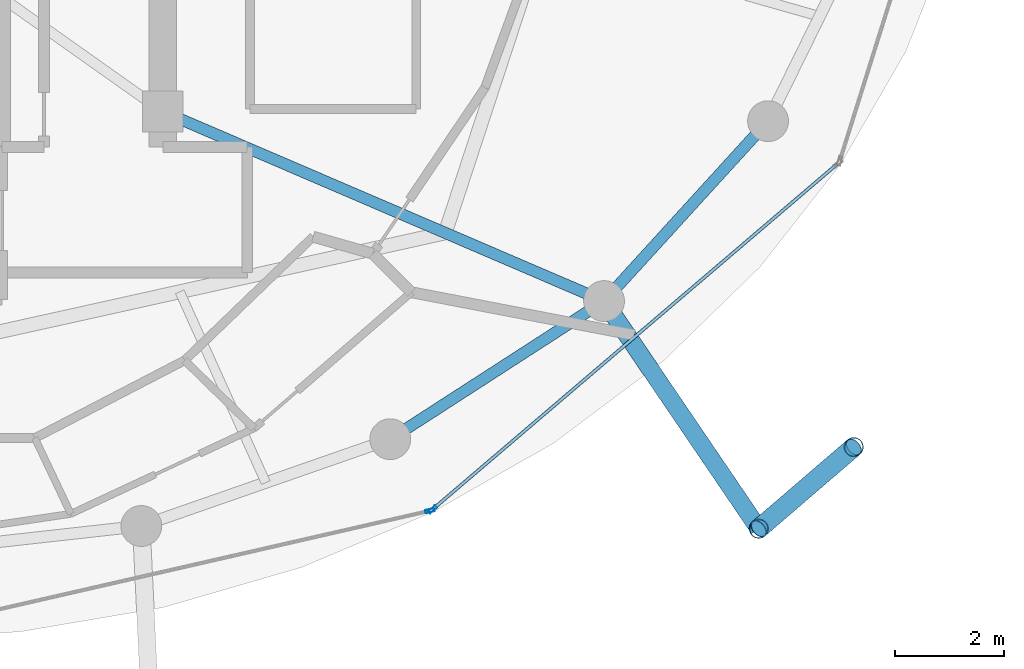
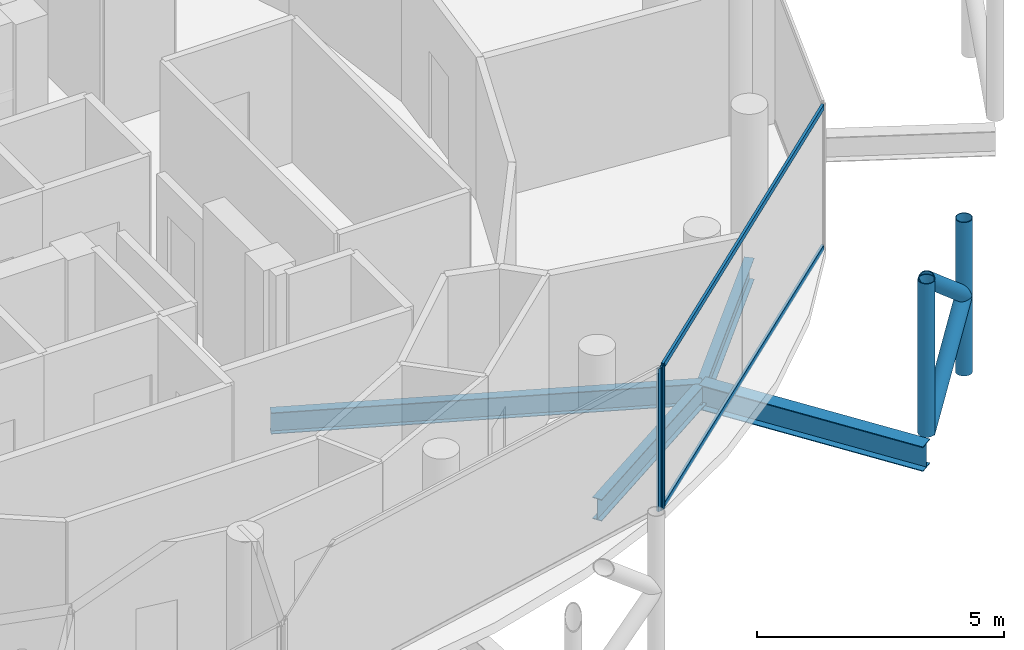
# One storey, part 9 of 24: 8 members, 4 beams, 2 elements without a shape of their own.
"""IFC4 building model written with IfcOpenShell, lengths in metres."""

from ifc_helpers import new_model, si_unit, direction, frame, origin, origin_2d, place, context, subcontext, project, spatial, hollow_rectangle, hollow_circle, i_section, extrude, material, layer, layer_set, material_profile, profile_set, type_object, element, aggregate, save


model = new_model("IFC4")

# Units and contexts
model_context = context("Model", 3, precision=1e-05, world=origin(), true_north=direction((0.0, 1.0)))
body_context = subcontext(model_context, "Body", "Model", "MODEL_VIEW")
ifc_project = project(units=[si_unit("LENGTHUNIT", "METRE"), si_unit("AREAUNIT", "SQUARE_METRE"), si_unit("VOLUMEUNIT", "CUBIC_METRE"), si_unit("PLANEANGLEUNIT", "RADIAN"), si_unit("MASSUNIT", "GRAM", prefix="KILO")], contexts=[model_context])

# Site, building, storey
site_placement = place(None, origin())
site = spatial("IfcSite", under=ifc_project, at=site_placement, CompositionType="ELEMENT")
building_placement = place(site_placement, origin())
building = spatial("IfcBuilding", under=site, at=building_placement, Name="Nuhasar Tower", CompositionType="ELEMENT")
storey_placement = place(building_placement, frame((0.0, 0.0, 282.199951171875)))
storey = spatial("IfcBuildingStorey", under=building, at=storey_placement, Name="L70", CompositionType="ELEMENT", Elevation=282.199951171875)

# Beams
ifc_material_1 = material(Name="Steel S355", Category="steel")
ifc_material_profile_1 = material_profile(ifc_material_1, i_section(OverallWidth=0.208984375, OverallDepth=0.528076171875, WebThickness=0.009521484375, FlangeThickness=0.01318359375, at=origin_2d()), Name="W21X55")
ifc_profile_set_1 = profile_set([ifc_material_profile_1], Name="Steel S355")
beam_type_1 = type_object("IfcBeamType", Name="BM-RAD-W21X55", PredefinedType="BEAM", material=ifc_profile_set_1)
beam_1_placement = place(storey_placement, frame((44.300048828125, 19.0, -0.52392578125), z_axis=(0.91887119061, -0.394557644797, 0.0), x_axis=(0.394557644797, 0.91887119061, 0.0)))
element("IfcBeam", 1, at=beam_1_placement, inside=storey, type_object=beam_type_1, Name="L70 Radial Floor Girder 03", PredefinedType="BEAM", context=body_context, shape_type="SweptSolid", body=[
    extrude(i_section(OverallWidth=0.208984375, OverallDepth=0.528076171875, WebThickness=0.009521484375, FlangeThickness=0.01318359375, at=origin_2d()), origin(), (0.0, 0.0, 1.0), 8.81494140625),
])
ifc_material_profile_2 = material_profile(ifc_material_1, i_section(OverallWidth=0.2099609375, OverallDepth=0.537109375, WebThickness=0.010986328125, FlangeThickness=0.017333984375, at=origin_2d()), Name="W21X68")
ifc_profile_set_2 = profile_set([ifc_material_profile_2], Name="Steel S355")
beam_type_2 = type_object("IfcBeamType", Name="BM-RING-W21X68", PredefinedType="SPANDREL", material=ifc_profile_set_2)
beam_2_placement = place(storey_placement, frame((48.47509765625, 12.987060546875, -0.529052734375), z_axis=(0.840025485934, 0.542546940809, 0.0), x_axis=(-0.542546940809, 0.840025485934, 0.0)))
element("IfcBeam", 2, at=beam_2_placement, inside=storey, type_object=beam_type_2, Name="L70 Perimeter Ring Spandrel 21", PredefinedType="SPANDREL", context=body_context, shape_type="SweptSolid", body=[
    extrude(i_section(OverallWidth=0.2099609375, OverallDepth=0.537109375, WebThickness=0.010986328125, FlangeThickness=0.017333984375, at=origin_2d()), origin(), (0.0, 0.0, 1.0), 4.67236328125),
])
beam_3_placement = place(storey_placement, frame((52.39990234375, 15.52197265625, -0.529052734375), z_axis=(0.673686302939, 0.739017432293, 0.0), x_axis=(-0.739017432293, 0.673686302939, 0.0)))
element("IfcBeam", 3, at=beam_3_placement, inside=storey, type_object=beam_type_2, Name="L70 Perimeter Ring Spandrel 22", PredefinedType="SPANDREL", context=body_context, shape_type="SweptSolid", body=[
    extrude(i_section(OverallWidth=0.2099609375, OverallDepth=0.537109375, WebThickness=0.010986328125, FlangeThickness=0.017333984375, at=origin_2d()), origin(), (0.0, 0.0, 1.0), 4.469482421875),
])
ifc_material_profile_3 = material_profile(ifc_material_1, i_section(OverallWidth=0.323974609375, OverallDepth=0.611083984375, WebThickness=0.0126953125, FlangeThickness=0.01904296875, at=origin_2d()), Name="W24X104")
ifc_profile_set_3 = profile_set([ifc_material_profile_3], Name="Steel S355")
beam_type_3 = type_object("IfcBeamType", Name="BM-TIE-W24X104", PredefinedType="BEAM", material=ifc_profile_set_3)
beam_4_placement = place(storey_placement, frame((52.39990234375, 15.52197265625, -0.56494140625), z_axis=(0.562093254487, -0.827073862034, 0.0), x_axis=(0.827073862034, 0.562093254487, 0.0)))
element("IfcBeam", 4, at=beam_4_placement, inside=storey, type_object=beam_type_3, Name="L70 Exoskeleton Node Tie Beam 11", PredefinedType="BEAM", context=body_context, shape_type="SweptSolid", body=[
    extrude(i_section(OverallWidth=0.323974609375, OverallDepth=0.611083984375, WebThickness=0.0126953125, FlangeThickness=0.01904296875, at=origin_2d()), origin(), (0.0, 0.0, 1.0), 5.052734375),
])

# Curtain wall, member
ifc_material_2 = material(Name="Aluminium 6063-T6", Category="aluminium")
ifc_layer = layer(ifc_material_2, 0.18994140625)
ifc_layer_set = layer_set([ifc_layer], Name="Aluminium 6063-T6")
curtain_wall_type = type_object("IfcCurtainWallType", Name="CW-Z4-PEN", PredefinedType="NOTDEFINED", material=ifc_layer_set)
curtain_wall_1_placement = place(storey_placement, origin())
curtain_wall_1 = element("IfcCurtainWall", 5, at=curtain_wall_1_placement, inside=storey, type_object=curtain_wall_type, Name="L70 Unitised Curtain Wall 10", PredefinedType="NOTDEFINED")
ifc_material_profile_4 = material_profile(ifc_material_2, hollow_rectangle(XDim=0.06005859375, YDim=0.1650390625, WallThickness=0.0048828125, at=origin_2d()), Name="CWM-5")
ifc_profile_set_4 = profile_set([ifc_material_profile_4], Name="Aluminium 6063-T6")
member_type_1 = type_object("IfcMemberType", Name="CW-MUL-S5", PredefinedType="MULLION", material=ifc_profile_set_4)
member_1_placement = place(storey_placement, frame((49.20068359375, 11.67236328125, 0.0), z_axis=(0.0, 0.0, 1.0), x_axis=(-0.222889487645, 0.97484371891, 0.0)))
member_1 = element("IfcMember", 6, at=member_1_placement, type_object=member_type_1, Name="CW-Z4 mullion 2", PredefinedType="MULLION", context=body_context, shape_type="SweptSolid", body=[
    extrude(hollow_rectangle(XDim=0.06005859375, YDim=0.1650390625, WallThickness=0.0048828125, at=origin_2d()), origin(), (0.0, 0.0, 1.0), 3.5400390625),
])
aggregate(curtain_wall_1, [member_1])

# Curtain wall, members
curtain_wall_2_placement = place(storey_placement, origin())
curtain_wall_2 = element("IfcCurtainWall", 7, at=curtain_wall_2_placement, inside=storey, type_object=curtain_wall_type, Name="L70 Unitised Curtain Wall 11", PredefinedType="NOTDEFINED")
member_2_placement = place(storey_placement, frame((49.2529296875, 11.698486328125, 0.0), z_axis=(0.0, 0.0, 1.0), x_axis=(-0.649141996205, 0.760667252327, 0.0)))
member_2 = element("IfcMember", 8, at=member_2_placement, type_object=member_type_1, Name="CW-Z4 mullion 1", PredefinedType="MULLION", context=body_context, shape_type="SweptSolid", body=[
    extrude(hollow_rectangle(XDim=0.06005859375, YDim=0.1650390625, WallThickness=0.0048828125, at=origin_2d()), origin(), (0.0, 0.0, 1.0), 3.5400390625),
])
ifc_material_profile_5 = material_profile(ifc_material_2, hollow_rectangle(XDim=0.06005859375, YDim=0.135009765625, WallThickness=0.00439453125, at=origin_2d()), Name="CWT-5")
ifc_profile_set_5 = profile_set([ifc_material_profile_5], Name="Aluminium 6063-T6")
member_type_2 = type_object("IfcMemberType", Name="CW-TRN-S5", PredefinedType="USERDEFINED", material=ifc_profile_set_5)
member_3_placement = place(storey_placement, frame((49.275634765625, 11.718017578125, 0.030029296875), z_axis=(0.760672431431, 0.649135927261, 0.0), x_axis=(-0.649135927261, 0.760672431431, 0.0)))
member_3 = element("IfcMember", 9, at=member_3_placement, type_object=member_type_2, Name="CW-Z4 transom 1.1", ObjectType="TRANSOM", PredefinedType="USERDEFINED", context=body_context, shape_type="SweptSolid", body=[
    extrude(hollow_rectangle(XDim=0.06005859375, YDim=0.135009765625, WallThickness=0.00439453125, at=origin_2d()), origin(), (0.0, 0.0, 1.0), 9.72509765625),
])
member_4_placement = place(storey_placement, frame((49.275634765625, 11.718017578125, 3.510009765625), z_axis=(0.760672431431, 0.649135927261, 0.0), x_axis=(-0.649135927261, 0.760672431431, 0.0)))
member_4 = element("IfcMember", 10, at=member_4_placement, type_object=member_type_2, Name="CW-Z4 transom 1.2", ObjectType="TRANSOM", PredefinedType="USERDEFINED", context=body_context, shape_type="SweptSolid", body=[
    extrude(hollow_rectangle(XDim=0.06005859375, YDim=0.135009765625, WallThickness=0.00439453125, at=origin_2d()), origin(), (0.0, 0.0, 1.0), 9.72509765625),
])
aggregate(curtain_wall_2, [member_2, member_3, member_4])

# Members
ifc_material_3 = material(Name="Steel S460", Category="steel")
ifc_material_profile_6 = material_profile(ifc_material_3, hollow_circle(Radius=0.177734375, WallThickness=0.015869140625, at=origin_2d()), Name="HSS355.6X15.9")
ifc_profile_set_6 = profile_set([ifc_material_profile_6], Name="Steel S460")
member_type_3 = type_object("IfcMemberType", Name="EXO-BRONZE-356", PredefinedType="BRACE", material=ifc_profile_set_6)
for number, where, z_axis, x_axis, name in (
    (11, (55.239990234375, 11.343017578125, 0.0), (0.0, 0.0, 1.0), (1.0, 0.0, 0.0), "L70 Exoskeleton Chord Column EC-11A"),
    (12, (56.98388671875, 12.842041015625, 0.0), (0.0, 0.0, 1.0), (1.0, 0.0, 0.0), "L70 Exoskeleton Chord Column EC-11B"),
):
    element("IfcMember", number, at=place(storey_placement, frame(where, z_axis=z_axis, x_axis=x_axis)), inside=storey, type_object=member_type_3, Name=name, PredefinedType="BRACE", context=body_context, shape_type="SweptSolid", body=[
        extrude(hollow_circle(Radius=0.177734375, WallThickness=0.015869140625, at=origin_2d()), origin(), (0.0, 0.0, 1.0), 3.800048828125),
    ])
member_5_placement = place(storey_placement, frame((55.239990234375, 11.343017578125, 0.0), z_axis=(0.584594747408, 0.50250759472, 0.636973389203), x_axis=(-0.65185738425, 0.758341579104, 0.0)))
element("IfcMember", 13, at=member_5_placement, inside=storey, type_object=member_type_3, Name="L70 Bronze Diagrid Brace W1-11", PredefinedType="BRACE", context=body_context, shape_type="SweptSolid", body=[
    extrude(hollow_circle(Radius=0.177734375, WallThickness=0.015869140625, at=origin_2d()), origin(), (0.0, 0.0, 1.0), 2.983154296875),
])
member_6_placement = place(storey_placement, frame((56.98388671875, 12.842041015625, 1.900146484375), z_axis=(-0.584625223306, -0.502533791278, 0.636924749792), x_axis=(0.65185738425, -0.758341579104, 0.0)))
element("IfcMember", 14, at=member_6_placement, inside=storey, type_object=member_type_3, Name="L70 Bronze Diagrid Brace W2-11", PredefinedType="BRACE", context=body_context, shape_type="SweptSolid", body=[
    extrude(hollow_circle(Radius=0.177734375, WallThickness=0.015869140625, at=origin_2d()), origin(), (0.0, 0.0, 1.0), 2.98291015625),
])

save(model, "model.ifc")
